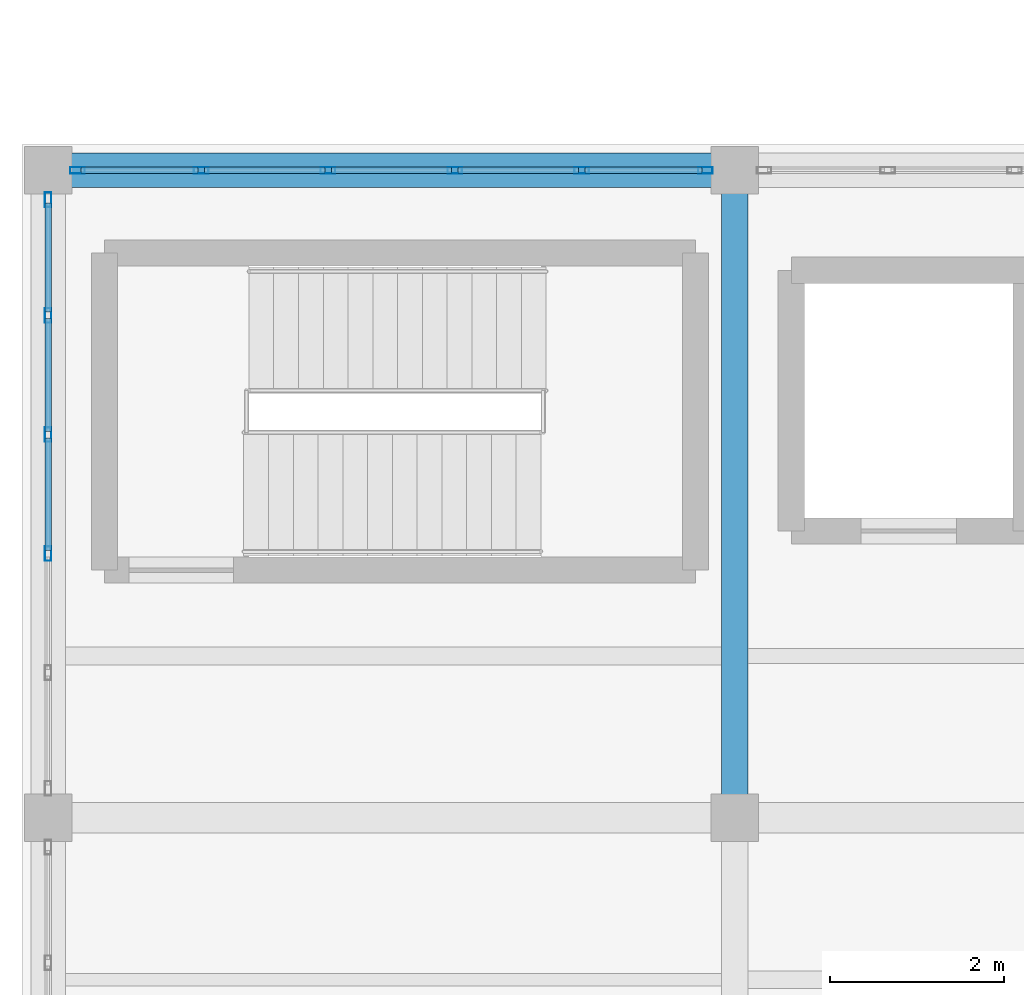
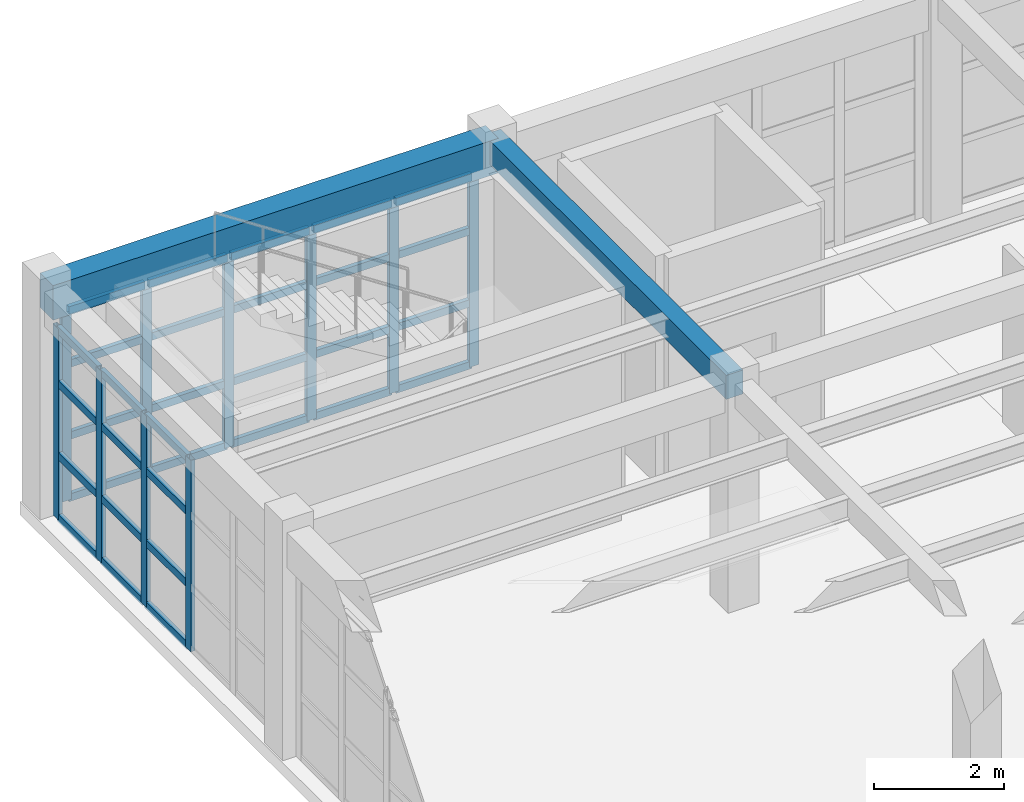
# One storey, part 10 of 85: 42 members, 2 beams, 2 elements without a shape of their own.
"""IFC4 building model written with IfcOpenShell, lengths in metres."""

import ifcopenshell
import ifcopenshell.guid

model = None  # the IFC model being written
_history = None  # IfcOwnerHistory: only IFC2X3 demands one
_inside = {}  # id of a spatial element -> (the spatial element, [elements in it])
_under = {}  # id of a project, library or spatial element -> (it, [spatial elements below it])
_declared = {}  # id of a project -> (the project, [libraries it declares])
_typed = {}  # id of a type object -> (the type object, [elements of that type])
_made_of = {}  # id of a material, layer set ... -> (it, [elements and type objects made of it])


def new_model(schema):
    """Start an empty IFC model of exactly this schema.

    Asked for "IFC4X3", IfcOpenShell would pick the latest addendum, in which some entities
    have other attributes; the version numbers below select the first issue.
    IFC2X3 requires an IfcOwnerHistory on every rooted entity: one is made here for all.
    """
    global model, _history
    if schema == "IFC4X3":
        model = ifcopenshell.file(schema_version=(4, 3, 0, 0))
    else:
        model = ifcopenshell.file(schema=schema)
    _inside.clear()
    _under.clear()
    _declared.clear()
    _typed.clear()
    _made_of.clear()
    _history = None
    if model.schema == "IFC2X3":
        org = make("IfcOrganization", Name="unknown")
        user = make(
            "IfcPersonAndOrganization",
            ThePerson=make("IfcPerson", FamilyName="unknown"),
            TheOrganization=org,
        )
        app = make(
            "IfcApplication",
            ApplicationDeveloper=org,
            Version="unknown",
            ApplicationFullName="unknown",
            ApplicationIdentifier="unknown",
        )
        _history = make(
            "IfcOwnerHistory",
            OwningUser=user,
            OwningApplication=app,
            ChangeAction="ADDED",
            CreationDate=0,
        )
    return model


def make(cls, **values):
    """One entity of the class cls with the attributes given. An attribute that is None is left unset."""
    return model.create_entity(
        cls, **{name: value for name, value in values.items() if value is not None}
    )


def rooted(cls, **values):
    """An entity with a GlobalId (a new one), such as an element, a storey or a relation."""
    return make(cls, GlobalId=ifcopenshell.guid.new(), OwnerHistory=_history, **values)


def si_unit(unit_type, name, prefix=None):
    """IfcSIUnit, for example si_unit("LENGTHUNIT", "METRE", prefix="MILLI")."""
    return make("IfcSIUnit", UnitType=unit_type, Prefix=prefix, Name=name)


def assignment(units):
    """IfcUnitAssignment: the units of a project."""
    return None if units is None else make("IfcUnitAssignment", Units=units)


def point(xyz):
    """IfcCartesianPoint."""
    return None if xyz is None else make("IfcCartesianPoint", Coordinates=xyz)


def direction(xyz):
    """IfcDirection."""
    return None if xyz is None else make("IfcDirection", DirectionRatios=xyz)


def frame(location, z_axis=None, x_axis=None):
    """IfcAxis2Placement3D, a coordinate frame: its origin and axes. An axis left out is left unset."""
    return make(
        "IfcAxis2Placement3D",
        Location=point(location),
        Axis=direction(z_axis),
        RefDirection=direction(x_axis),
    )


def frame_2d(location, x_axis=None):
    """IfcAxis2Placement2D, a coordinate frame in the plane: its origin and x axis."""
    return make(
        "IfcAxis2Placement2D", Location=point(location), RefDirection=direction(x_axis)
    )


def origin():
    """The frame at (0, 0, 0) with its axes left unset."""
    return frame((0.0, 0.0, 0.0))


def origin_2d():
    """The frame at (0, 0) in the plane with its x axis left unset."""
    return frame_2d((0.0, 0.0))


def place(relative_to, where):
    """IfcLocalPlacement: puts the frame where relative to a parent placement (None: the world)."""
    return make(
        "IfcLocalPlacement", PlacementRelTo=relative_to, RelativePlacement=where
    )


def context(
    kind, dimensions, precision=None, world=None, true_north=None, identifier=None
):
    """IfcGeometricRepresentationContext, for example the 3D "Model" context."""
    return make(
        "IfcGeometricRepresentationContext",
        ContextIdentifier=identifier,
        ContextType=kind,
        CoordinateSpaceDimension=dimensions,
        Precision=precision,
        WorldCoordinateSystem=world,
        TrueNorth=true_north,
    )


def subcontext(parent, identifier, kind, view, scale=None):
    """IfcGeometricRepresentationSubContext, for example "Body" below "Model"."""
    return make(
        "IfcGeometricRepresentationSubContext",
        ContextIdentifier=identifier,
        ContextType=kind,
        ParentContext=parent,
        TargetScale=scale,
        TargetView=view,
    )


def project(units=None, contexts=None):
    """IfcProject with its units and contexts."""
    return rooted(
        "IfcProject",
        Name="project",
        RepresentationContexts=contexts,
        UnitsInContext=assignment(units),
    )


def spatial(cls, under=None, at=None, **own):
    """A site, building, storey or space (cls), placed at a placement, below another one or the project."""
    s = rooted(cls, ObjectPlacement=at, **own)
    if under is not None:
        _under.setdefault(under.id(), (under, []))[1].append(s)
    return s


def profile(cls, at=None, kind="AREA", **sizes):
    """A parametric profile (cls). Its sizes go by their IFC names, for example OverallWidth=200.0."""
    return make(cls, ProfileType=kind, Position=at, **sizes)


def rectangle(**sizes):
    """IfcRectangleProfileDef."""
    return profile("IfcRectangleProfileDef", **sizes)


def hollow_rectangle(**sizes):
    """IfcRectangleHollowProfileDef."""
    return profile("IfcRectangleHollowProfileDef", **sizes)


def extrude(swept, where, along, depth):
    """IfcExtrudedAreaSolid: the profile swept, set in the frame where, extruded along a direction by depth."""
    return make(
        "IfcExtrudedAreaSolid",
        SweptArea=swept,
        Position=where,
        ExtrudedDirection=direction(along),
        Depth=depth,
    )


def shape(context_of_items, identifier, shape_type, items):
    """IfcShapeRepresentation: the items that make up one representation, for example the "Body"."""
    return make(
        "IfcShapeRepresentation",
        ContextOfItems=context_of_items,
        RepresentationIdentifier=identifier,
        RepresentationType=shape_type,
        Items=items,
    )


def material(Name=None, Category=None):
    """IfcMaterial."""
    return make("IfcMaterial", Name=Name, Category=Category)


def layer(
    of_material, thickness, ventilated=None, Name=None, Category=None, Priority=None
):
    """IfcMaterialLayer: one layer of a wall or slab, of a material (None: an air gap)."""
    return make(
        "IfcMaterialLayer",
        Material=of_material,
        LayerThickness=thickness,
        IsVentilated=ventilated,
        Name=Name,
        Category=Category,
        Priority=Priority,
    )


def layer_set(layers, Name=None):
    """IfcMaterialLayerSet."""
    return make("IfcMaterialLayerSet", MaterialLayers=layers, LayerSetName=Name)


def material_profile(
    of_material, cross_section, Name=None, Category=None, Priority=None
):
    """IfcMaterialProfile: a cross section and its material."""
    return make(
        "IfcMaterialProfile",
        Name=Name,
        Material=of_material,
        Profile=cross_section,
        Priority=Priority,
        Category=Category,
    )


def profile_set(profiles, Name=None, composite=None):
    """IfcMaterialProfileSet."""
    return make(
        "IfcMaterialProfileSet",
        Name=Name,
        MaterialProfiles=profiles,
        CompositeProfile=composite,
    )


def made_of(thing, what):
    """Note that an element or type object is made of a material, layer set ...; save() writes the relation."""
    if what is not None:
        _made_of.setdefault(what.id(), (what, []))[1].append(thing)
    return thing


def type_object(cls, material=None, **own):
    """A type object (cls), such as IfcWallType, which elements share."""
    return made_of(rooted(cls, **own), material)


def element(
    cls,
    number,
    at=None,
    inside=None,
    cuts=None,
    type_object=None,
    material=None,
    context=None,
    identifier="Body",
    shape_type=None,
    held_by="IfcProductDefinitionShape",
    body=None,
    shapes=None,
    **own,
):
    """One element of the class cls, such as IfcWall. Its Tag is "e" and its number.

    at: its placement. inside: the storey or other place that contains it. cuts: it is an
    opening in that element (IfcRelVoidsElement). A single representation is given by context,
    identifier, shape_type and body (its items); several are given by shapes. held_by: the class
    of the entity that holds the representations. save() writes the other relations.
    """
    e = rooted(cls, Tag="e%d" % number, ObjectPlacement=at, **own)
    if body is not None:
        shapes = [shape(context, identifier, shape_type, body)]
    if shapes is not None:
        e.Representation = make(held_by, Representations=shapes)
    if inside is not None:
        _inside.setdefault(inside.id(), (inside, []))[1].append(e)
    if cuts is not None:
        rooted(
            "IfcRelVoidsElement", RelatingBuildingElement=cuts, RelatedOpeningElement=e
        )
    if type_object is not None:
        _typed.setdefault(type_object.id(), (type_object, []))[1].append(e)
    return made_of(e, material)


def aggregate(whole, parts):
    """IfcRelAggregates: a whole, such as a stair, and the parts it consists of."""
    return rooted("IfcRelAggregates", RelatingObject=whole, RelatedObjects=parts)


def save(model, path):
    """Write the relations noted so far, then the file.

    IfcRelAggregates (storeys below a building ...), IfcRelContainedInSpatialStructure (elements
    in a storey), IfcRelDefinesByType, IfcRelAssociatesMaterial and IfcRelDeclares: one each for
    every whole, place, type object, material and project.
    """
    for whole, parts in _under.values():
        aggregate(whole, parts)
    for where, things in _inside.values():
        rooted(
            "IfcRelContainedInSpatialStructure",
            RelatedElements=things,
            RelatingStructure=where,
        )
    for kind, things in _typed.values():
        rooted("IfcRelDefinesByType", RelatedObjects=things, RelatingType=kind)
    for what, things in _made_of.values():
        rooted("IfcRelAssociatesMaterial", RelatedObjects=things, RelatingMaterial=what)
    for by, libraries in _declared.values():
        rooted("IfcRelDeclares", RelatingContext=by, RelatedDefinitions=libraries)
    model.write(path)


model = new_model("IFC4")

# Units and contexts
model_context = context("Model", 3, precision=1e-05, world=origin(), true_north=direction((0.0, 1.0)))
body_context = subcontext(model_context, "Body", "Model", "MODEL_VIEW")
ifc_project = project(units=[si_unit("LENGTHUNIT", "METRE"), si_unit("AREAUNIT", "SQUARE_METRE"), si_unit("VOLUMEUNIT", "CUBIC_METRE"), si_unit("PLANEANGLEUNIT", "RADIAN"), si_unit("MASSUNIT", "GRAM", prefix="KILO")], contexts=[model_context])

# Site, building, storey
site_placement = place(None, origin())
site = spatial("IfcSite", under=ifc_project, at=site_placement, CompositionType="ELEMENT")
building_placement = place(site_placement, origin())
building = spatial("IfcBuilding", under=site, at=building_placement, Name="Candilejo Ridge Gondola Terminal", CompositionType="ELEMENT")
storey_placement = place(building_placement, frame((0.0, 0.0, 4.5)))
storey = spatial("IfcBuildingStorey", under=building, at=storey_placement, Name="L01", CompositionType="ELEMENT", Elevation=4.5)

# Curtain wall, members
ifc_material_1 = material(Name="Anodised aluminium AA 6063-T6", Category="aluminium")
ifc_layer_1 = layer(ifc_material_1, 0.169921875)
ifc_layer_set_1 = layer_set([ifc_layer_1], Name="ARC-CW-CONCOURSE-3600-730X359")
curtain_wall_type_1 = type_object("IfcCurtainWallType", Name="ARC-CW-CONCOURSE-3600-730X359", PredefinedType="NOTDEFINED", material=ifc_layer_set_1)
curtain_wall_1_placement = place(storey_placement, origin())
curtain_wall_1 = element("IfcCurtainWall", 1, at=curtain_wall_1_placement, inside=storey, type_object=curtain_wall_type_1, Name="Curtain wall V1 L01-002", PredefinedType="NOTDEFINED")
ifc_material_2 = material(Name="Anodised aluminium AA 6063-T6", Category="aluminium")
ifc_material_profile_1 = material_profile(ifc_material_2, hollow_rectangle(XDim=0.074951171875, YDim=0.169921875, WallThickness=0.00390625, at=origin_2d()))
ifc_profile_set_1 = profile_set([ifc_material_profile_1], Name="Anodised aluminium AA 6063-T6")
member_type_1 = type_object("IfcMemberType", Name="ARC-CW-MULLION", PredefinedType="MULLION", material=ifc_profile_set_1)
member_1_placement = place(storey_placement, frame((4.637451171875, 25.699951171875, 0.0), z_axis=(0.0, 0.0, 1.0), x_axis=(0.0, 1.0, 0.0)))
member_1 = element("IfcMember", 2, at=member_1_placement, type_object=member_type_1, Name="CW-73X35 mullion 1", PredefinedType="MULLION", context=body_context, shape_type="SweptSolid", body=[
    extrude(hollow_rectangle(XDim=0.074951171875, YDim=0.169921875, WallThickness=0.00390625, at=origin_2d()), origin(), (0.0, 0.0, 1.0), 3.590087890625),
])
member_2_placement = place(storey_placement, frame((6.06005859375, 25.699951171875, 0.0), z_axis=(0.0, 0.0, 1.0), x_axis=(0.0, 1.0, 0.0)))
member_2 = element("IfcMember", 3, at=member_2_placement, type_object=member_type_1, Name="CW-73X35 mullion 2", PredefinedType="MULLION", context=body_context, shape_type="SweptSolid", body=[
    extrude(hollow_rectangle(XDim=0.074951171875, YDim=0.169921875, WallThickness=0.00390625, at=origin_2d()), origin(), (0.0, 0.0, 1.0), 3.590087890625),
])
member_3_placement = place(storey_placement, frame((7.52001953125, 25.699951171875, 0.0), z_axis=(0.0, 0.0, 1.0), x_axis=(0.0, 1.0, 0.0)))
member_3 = element("IfcMember", 4, at=member_3_placement, type_object=member_type_1, Name="CW-73X35 mullion 3", PredefinedType="MULLION", context=body_context, shape_type="SweptSolid", body=[
    extrude(hollow_rectangle(XDim=0.074951171875, YDim=0.169921875, WallThickness=0.00390625, at=origin_2d()), origin(), (0.0, 0.0, 1.0), 3.590087890625),
])
member_4_placement = place(storey_placement, frame((8.97998046875, 25.699951171875, 0.0), z_axis=(0.0, 0.0, 1.0), x_axis=(0.0, 1.0, 0.0)))
member_4 = element("IfcMember", 5, at=member_4_placement, type_object=member_type_1, Name="CW-73X35 mullion 4", PredefinedType="MULLION", context=body_context, shape_type="SweptSolid", body=[
    extrude(hollow_rectangle(XDim=0.074951171875, YDim=0.169921875, WallThickness=0.00390625, at=origin_2d()), origin(), (0.0, 0.0, 1.0), 3.590087890625),
])
member_5_placement = place(storey_placement, frame((10.43994140625, 25.699951171875, 0.0), z_axis=(0.0, 0.0, 1.0), x_axis=(0.0, 1.0, 0.0)))
member_5 = element("IfcMember", 6, at=member_5_placement, type_object=member_type_1, Name="CW-73X35 mullion 5", PredefinedType="MULLION", context=body_context, shape_type="SweptSolid", body=[
    extrude(hollow_rectangle(XDim=0.074951171875, YDim=0.169921875, WallThickness=0.00390625, at=origin_2d()), origin(), (0.0, 0.0, 1.0), 3.590087890625),
])
member_6_placement = place(storey_placement, frame((11.862548828125, 25.699951171875, 0.0), z_axis=(0.0, 0.0, 1.0), x_axis=(0.0, 1.0, 0.0)))
member_6 = element("IfcMember", 7, at=member_6_placement, type_object=member_type_1, Name="CW-73X35 mullion 6", PredefinedType="MULLION", context=body_context, shape_type="SweptSolid", body=[
    extrude(hollow_rectangle(XDim=0.074951171875, YDim=0.169921875, WallThickness=0.00390625, at=origin_2d()), origin(), (0.0, 0.0, 1.0), 3.590087890625),
])

ifc_material_3 = material(Name="Anodised aluminium AA 6063-T6", Category="aluminium")
ifc_layer_2 = layer(ifc_material_3, 0.169921875)
ifc_layer_set_2 = layer_set([ifc_layer_2], Name="ARC-CW-CONCOURSE-3600-685X359")
curtain_wall_type_2 = type_object("IfcCurtainWallType", Name="ARC-CW-CONCOURSE-3600-685X359", PredefinedType="NOTDEFINED", material=ifc_layer_set_2)
curtain_wall_2_placement = place(storey_placement, origin())
curtain_wall_2 = element("IfcCurtainWall", 8, at=curtain_wall_2_placement, inside=storey, type_object=curtain_wall_type_2, Name="Curtain wall V1 L01-021", PredefinedType="NOTDEFINED")
member_7_placement = place(storey_placement, frame((4.300048828125, 21.2900390625, 0.0), z_axis=(0.0, 0.0, 1.0), x_axis=(-1.0, 0.0, 0.0)))
member_7 = element("IfcMember", 9, at=member_7_placement, type_object=member_type_1, Name="CW-68X35 mullion 3", PredefinedType="MULLION", context=body_context, shape_type="SweptSolid", body=[
    extrude(hollow_rectangle(XDim=0.074951171875, YDim=0.169921875, WallThickness=0.00390625, at=origin_2d()), origin(), (0.0, 0.0, 1.0), 3.590087890625),
])
member_8_placement = place(storey_placement, frame((4.300048828125, 22.659912109375, 0.0), z_axis=(0.0, 0.0, 1.0), x_axis=(-1.0, 0.0, 0.0)))
member_8 = element("IfcMember", 10, at=member_8_placement, type_object=member_type_1, Name="CW-68X35 mullion 4", PredefinedType="MULLION", context=body_context, shape_type="SweptSolid", body=[
    extrude(hollow_rectangle(XDim=0.074951171875, YDim=0.169921875, WallThickness=0.00390625, at=origin_2d()), origin(), (0.0, 0.0, 1.0), 3.590087890625),
])
member_9_placement = place(storey_placement, frame((4.300048828125, 24.030029296875, 0.0), z_axis=(0.0, 0.0, 1.0), x_axis=(-1.0, 0.0, 0.0)))
member_9 = element("IfcMember", 11, at=member_9_placement, type_object=member_type_1, Name="CW-68X35 mullion 5", PredefinedType="MULLION", context=body_context, shape_type="SweptSolid", body=[
    extrude(hollow_rectangle(XDim=0.074951171875, YDim=0.169921875, WallThickness=0.00390625, at=origin_2d()), origin(), (0.0, 0.0, 1.0), 3.590087890625),
])
member_10_placement = place(storey_placement, frame((4.300048828125, 25.362548828125, 0.0), z_axis=(0.0, 0.0, 1.0), x_axis=(-1.0, 0.0, 0.0)))
member_10 = element("IfcMember", 12, at=member_10_placement, type_object=member_type_1, Name="CW-68X35 mullion 6", PredefinedType="MULLION", context=body_context, shape_type="SweptSolid", body=[
    extrude(hollow_rectangle(XDim=0.074951171875, YDim=0.169921875, WallThickness=0.00390625, at=origin_2d()), origin(), (0.0, 0.0, 1.0), 3.590087890625),
])

# Member
ifc_material_4 = material(Name="Anodised aluminium AA 6063-T6", Category="aluminium")
ifc_material_profile_2 = material_profile(ifc_material_4, hollow_rectangle(XDim=0.074951171875, YDim=0.139892578125, WallThickness=0.00390625, at=origin_2d()))
ifc_profile_set_2 = profile_set([ifc_material_profile_2], Name="Anodised aluminium AA 6063-T6")
member_type_2 = type_object("IfcMemberType", Name="ARC-CW-TRANSOM", PredefinedType="USERDEFINED", material=ifc_profile_set_2)
member_11_placement = place(storey_placement, frame((4.675048828125, 25.699951171875, 0.03759765625), z_axis=(1.0, 0.0, 0.0), x_axis=(0.0, 1.0, 0.0)))
member_11 = element("IfcMember", 13, at=member_11_placement, type_object=member_type_2, Name="CW-73X35 transom 1.1", ObjectType="TRANSOM", PredefinedType="USERDEFINED", context=body_context, shape_type="SweptSolid", body=[
    extrude(hollow_rectangle(XDim=0.074951171875, YDim=0.139892578125, WallThickness=0.00390625, at=origin_2d()), origin(), (0.0, 0.0, 1.0), 1.347412109375),
])

member_12_placement = place(storey_placement, frame((4.675048828125, 25.699951171875, 1.199951171875), z_axis=(1.0, 0.0, 0.0), x_axis=(0.0, 1.0, 0.0)))
member_12 = element("IfcMember", 14, at=member_12_placement, type_object=member_type_2, Name="CW-73X35 transom 1.2", ObjectType="TRANSOM", PredefinedType="USERDEFINED", context=body_context, shape_type="SweptSolid", body=[
    extrude(hollow_rectangle(XDim=0.074951171875, YDim=0.139892578125, WallThickness=0.00390625, at=origin_2d()), origin(), (0.0, 0.0, 1.0), 1.347412109375),
])

member_13_placement = place(storey_placement, frame((4.675048828125, 25.699951171875, 2.550048828125), z_axis=(1.0, 0.0, 0.0), x_axis=(0.0, 1.0, 0.0)))
member_13 = element("IfcMember", 15, at=member_13_placement, type_object=member_type_2, Name="CW-73X35 transom 1.3", ObjectType="TRANSOM", PredefinedType="USERDEFINED", context=body_context, shape_type="SweptSolid", body=[
    extrude(hollow_rectangle(XDim=0.074951171875, YDim=0.139892578125, WallThickness=0.00390625, at=origin_2d()), origin(), (0.0, 0.0, 1.0), 1.347412109375),
])

member_14_placement = place(storey_placement, frame((4.675048828125, 25.699951171875, 3.552490234375), z_axis=(1.0, 0.0, 0.0), x_axis=(0.0, 1.0, 0.0)))
member_14 = element("IfcMember", 16, at=member_14_placement, type_object=member_type_2, Name="CW-73X35 transom 1.4", ObjectType="TRANSOM", PredefinedType="USERDEFINED", context=body_context, shape_type="SweptSolid", body=[
    extrude(hollow_rectangle(XDim=0.074951171875, YDim=0.139892578125, WallThickness=0.00390625, at=origin_2d()), origin(), (0.0, 0.0, 1.0), 1.347412109375),
])

member_15_placement = place(storey_placement, frame((6.097412109375, 25.699951171875, 0.03759765625), z_axis=(1.0, 0.0, 0.0), x_axis=(0.0, 1.0, 0.0)))
member_15 = element("IfcMember", 17, at=member_15_placement, type_object=member_type_2, Name="CW-73X35 transom 2.1", ObjectType="TRANSOM", PredefinedType="USERDEFINED", context=body_context, shape_type="SweptSolid", body=[
    extrude(hollow_rectangle(XDim=0.074951171875, YDim=0.139892578125, WallThickness=0.00390625, at=origin_2d()), origin(), (0.0, 0.0, 1.0), 1.385009765625),
])

member_16_placement = place(storey_placement, frame((6.097412109375, 25.699951171875, 1.199951171875), z_axis=(1.0, 0.0, 0.0), x_axis=(0.0, 1.0, 0.0)))
member_16 = element("IfcMember", 18, at=member_16_placement, type_object=member_type_2, Name="CW-73X35 transom 2.2", ObjectType="TRANSOM", PredefinedType="USERDEFINED", context=body_context, shape_type="SweptSolid", body=[
    extrude(hollow_rectangle(XDim=0.074951171875, YDim=0.139892578125, WallThickness=0.00390625, at=origin_2d()), origin(), (0.0, 0.0, 1.0), 1.385009765625),
])

member_17_placement = place(storey_placement, frame((6.097412109375, 25.699951171875, 2.550048828125), z_axis=(1.0, 0.0, 0.0), x_axis=(0.0, 1.0, 0.0)))
member_17 = element("IfcMember", 19, at=member_17_placement, type_object=member_type_2, Name="CW-73X35 transom 2.3", ObjectType="TRANSOM", PredefinedType="USERDEFINED", context=body_context, shape_type="SweptSolid", body=[
    extrude(hollow_rectangle(XDim=0.074951171875, YDim=0.139892578125, WallThickness=0.00390625, at=origin_2d()), origin(), (0.0, 0.0, 1.0), 1.385009765625),
])

member_18_placement = place(storey_placement, frame((6.097412109375, 25.699951171875, 3.552490234375), z_axis=(1.0, 0.0, 0.0), x_axis=(0.0, 1.0, 0.0)))
member_18 = element("IfcMember", 20, at=member_18_placement, type_object=member_type_2, Name="CW-73X35 transom 2.4", ObjectType="TRANSOM", PredefinedType="USERDEFINED", context=body_context, shape_type="SweptSolid", body=[
    extrude(hollow_rectangle(XDim=0.074951171875, YDim=0.139892578125, WallThickness=0.00390625, at=origin_2d()), origin(), (0.0, 0.0, 1.0), 1.385009765625),
])

member_19_placement = place(storey_placement, frame((7.5576171875, 25.699951171875, 0.03759765625), z_axis=(1.0, 0.0, 0.0), x_axis=(0.0, 1.0, 0.0)))
member_19 = element("IfcMember", 21, at=member_19_placement, type_object=member_type_2, Name="CW-73X35 transom 3.1", ObjectType="TRANSOM", PredefinedType="USERDEFINED", context=body_context, shape_type="SweptSolid", body=[
    extrude(hollow_rectangle(XDim=0.074951171875, YDim=0.139892578125, WallThickness=0.00390625, at=origin_2d()), origin(), (0.0, 0.0, 1.0), 1.384765625),
])

member_20_placement = place(storey_placement, frame((7.5576171875, 25.699951171875, 1.199951171875), z_axis=(1.0, 0.0, 0.0), x_axis=(0.0, 1.0, 0.0)))
member_20 = element("IfcMember", 22, at=member_20_placement, type_object=member_type_2, Name="CW-73X35 transom 3.2", ObjectType="TRANSOM", PredefinedType="USERDEFINED", context=body_context, shape_type="SweptSolid", body=[
    extrude(hollow_rectangle(XDim=0.074951171875, YDim=0.139892578125, WallThickness=0.00390625, at=origin_2d()), origin(), (0.0, 0.0, 1.0), 1.384765625),
])

member_21_placement = place(storey_placement, frame((7.5576171875, 25.699951171875, 2.550048828125), z_axis=(1.0, 0.0, 0.0), x_axis=(0.0, 1.0, 0.0)))
member_21 = element("IfcMember", 23, at=member_21_placement, type_object=member_type_2, Name="CW-73X35 transom 3.3", ObjectType="TRANSOM", PredefinedType="USERDEFINED", context=body_context, shape_type="SweptSolid", body=[
    extrude(hollow_rectangle(XDim=0.074951171875, YDim=0.139892578125, WallThickness=0.00390625, at=origin_2d()), origin(), (0.0, 0.0, 1.0), 1.384765625),
])

member_22_placement = place(storey_placement, frame((7.5576171875, 25.699951171875, 3.552490234375), z_axis=(1.0, 0.0, 0.0), x_axis=(0.0, 1.0, 0.0)))
member_22 = element("IfcMember", 24, at=member_22_placement, type_object=member_type_2, Name="CW-73X35 transom 3.4", ObjectType="TRANSOM", PredefinedType="USERDEFINED", context=body_context, shape_type="SweptSolid", body=[
    extrude(hollow_rectangle(XDim=0.074951171875, YDim=0.139892578125, WallThickness=0.00390625, at=origin_2d()), origin(), (0.0, 0.0, 1.0), 1.384765625),
])

member_23_placement = place(storey_placement, frame((9.017578125, 25.699951171875, 0.03759765625), z_axis=(1.0, 0.0, 0.0), x_axis=(0.0, 1.0, 0.0)))
member_23 = element("IfcMember", 25, at=member_23_placement, type_object=member_type_2, Name="CW-73X35 transom 4.1", ObjectType="TRANSOM", PredefinedType="USERDEFINED", context=body_context, shape_type="SweptSolid", body=[
    extrude(hollow_rectangle(XDim=0.074951171875, YDim=0.139892578125, WallThickness=0.00390625, at=origin_2d()), origin(), (0.0, 0.0, 1.0), 1.385009765625),
])

member_24_placement = place(storey_placement, frame((9.017578125, 25.699951171875, 1.199951171875), z_axis=(1.0, 0.0, 0.0), x_axis=(0.0, 1.0, 0.0)))
member_24 = element("IfcMember", 26, at=member_24_placement, type_object=member_type_2, Name="CW-73X35 transom 4.2", ObjectType="TRANSOM", PredefinedType="USERDEFINED", context=body_context, shape_type="SweptSolid", body=[
    extrude(hollow_rectangle(XDim=0.074951171875, YDim=0.139892578125, WallThickness=0.00390625, at=origin_2d()), origin(), (0.0, 0.0, 1.0), 1.385009765625),
])

member_25_placement = place(storey_placement, frame((9.017578125, 25.699951171875, 2.550048828125), z_axis=(1.0, 0.0, 0.0), x_axis=(0.0, 1.0, 0.0)))
member_25 = element("IfcMember", 27, at=member_25_placement, type_object=member_type_2, Name="CW-73X35 transom 4.3", ObjectType="TRANSOM", PredefinedType="USERDEFINED", context=body_context, shape_type="SweptSolid", body=[
    extrude(hollow_rectangle(XDim=0.074951171875, YDim=0.139892578125, WallThickness=0.00390625, at=origin_2d()), origin(), (0.0, 0.0, 1.0), 1.385009765625),
])

member_26_placement = place(storey_placement, frame((9.017578125, 25.699951171875, 3.552490234375), z_axis=(1.0, 0.0, 0.0), x_axis=(0.0, 1.0, 0.0)))
member_26 = element("IfcMember", 28, at=member_26_placement, type_object=member_type_2, Name="CW-73X35 transom 4.4", ObjectType="TRANSOM", PredefinedType="USERDEFINED", context=body_context, shape_type="SweptSolid", body=[
    extrude(hollow_rectangle(XDim=0.074951171875, YDim=0.139892578125, WallThickness=0.00390625, at=origin_2d()), origin(), (0.0, 0.0, 1.0), 1.385009765625),
])

member_27_placement = place(storey_placement, frame((10.4775390625, 25.699951171875, 0.03759765625), z_axis=(1.0, 0.0, 0.0), x_axis=(0.0, 1.0, 0.0)))
member_27 = element("IfcMember", 29, at=member_27_placement, type_object=member_type_2, Name="CW-73X35 transom 5.1", ObjectType="TRANSOM", PredefinedType="USERDEFINED", context=body_context, shape_type="SweptSolid", body=[
    extrude(hollow_rectangle(XDim=0.074951171875, YDim=0.139892578125, WallThickness=0.00390625, at=origin_2d()), origin(), (0.0, 0.0, 1.0), 1.347412109375),
])

member_28_placement = place(storey_placement, frame((10.4775390625, 25.699951171875, 1.199951171875), z_axis=(1.0, 0.0, 0.0), x_axis=(0.0, 1.0, 0.0)))
member_28 = element("IfcMember", 30, at=member_28_placement, type_object=member_type_2, Name="CW-73X35 transom 5.2", ObjectType="TRANSOM", PredefinedType="USERDEFINED", context=body_context, shape_type="SweptSolid", body=[
    extrude(hollow_rectangle(XDim=0.074951171875, YDim=0.139892578125, WallThickness=0.00390625, at=origin_2d()), origin(), (0.0, 0.0, 1.0), 1.347412109375),
])

member_29_placement = place(storey_placement, frame((10.4775390625, 25.699951171875, 2.550048828125), z_axis=(1.0, 0.0, 0.0), x_axis=(0.0, 1.0, 0.0)))
member_29 = element("IfcMember", 31, at=member_29_placement, type_object=member_type_2, Name="CW-73X35 transom 5.3", ObjectType="TRANSOM", PredefinedType="USERDEFINED", context=body_context, shape_type="SweptSolid", body=[
    extrude(hollow_rectangle(XDim=0.074951171875, YDim=0.139892578125, WallThickness=0.00390625, at=origin_2d()), origin(), (0.0, 0.0, 1.0), 1.347412109375),
])

member_30_placement = place(storey_placement, frame((10.4775390625, 25.699951171875, 3.552490234375), z_axis=(1.0, 0.0, 0.0), x_axis=(0.0, 1.0, 0.0)))
member_30 = element("IfcMember", 32, at=member_30_placement, type_object=member_type_2, Name="CW-73X35 transom 5.4", ObjectType="TRANSOM", PredefinedType="USERDEFINED", context=body_context, shape_type="SweptSolid", body=[
    extrude(hollow_rectangle(XDim=0.074951171875, YDim=0.139892578125, WallThickness=0.00390625, at=origin_2d()), origin(), (0.0, 0.0, 1.0), 1.347412109375),
])

aggregate(curtain_wall_1, [member_1, member_2, member_3, member_4, member_5, member_6, member_11, member_12, member_13, member_14, member_15, member_16, member_17, member_18, member_19, member_20, member_21, member_22, member_23, member_24, member_25, member_26, member_27, member_28, member_29, member_30])

member_31_placement = place(storey_placement, frame((4.300048828125, 21.327392578125, 0.03759765625), z_axis=(0.0, 1.0, 0.0), x_axis=(-1.0, 0.0, 0.0)))
member_31 = element("IfcMember", 33, at=member_31_placement, type_object=member_type_2, Name="CW-68X35 transom 3.1", ObjectType="TRANSOM", PredefinedType="USERDEFINED", context=body_context, shape_type="SweptSolid", body=[
    extrude(hollow_rectangle(XDim=0.074951171875, YDim=0.139892578125, WallThickness=0.00390625, at=origin_2d()), origin(), (0.0, 0.0, 1.0), 1.295166015625),
])

member_32_placement = place(storey_placement, frame((4.300048828125, 21.327392578125, 1.199951171875), z_axis=(0.0, 1.0, 0.0), x_axis=(-1.0, 0.0, 0.0)))
member_32 = element("IfcMember", 34, at=member_32_placement, type_object=member_type_2, Name="CW-68X35 transom 3.2", ObjectType="TRANSOM", PredefinedType="USERDEFINED", context=body_context, shape_type="SweptSolid", body=[
    extrude(hollow_rectangle(XDim=0.074951171875, YDim=0.139892578125, WallThickness=0.00390625, at=origin_2d()), origin(), (0.0, 0.0, 1.0), 1.295166015625),
])

member_33_placement = place(storey_placement, frame((4.300048828125, 21.327392578125, 2.550048828125), z_axis=(0.0, 1.0, 0.0), x_axis=(-1.0, 0.0, 0.0)))
member_33 = element("IfcMember", 35, at=member_33_placement, type_object=member_type_2, Name="CW-68X35 transom 3.3", ObjectType="TRANSOM", PredefinedType="USERDEFINED", context=body_context, shape_type="SweptSolid", body=[
    extrude(hollow_rectangle(XDim=0.074951171875, YDim=0.139892578125, WallThickness=0.00390625, at=origin_2d()), origin(), (0.0, 0.0, 1.0), 1.295166015625),
])

member_34_placement = place(storey_placement, frame((4.300048828125, 21.327392578125, 3.552490234375), z_axis=(0.0, 1.0, 0.0), x_axis=(-1.0, 0.0, 0.0)))
member_34 = element("IfcMember", 36, at=member_34_placement, type_object=member_type_2, Name="CW-68X35 transom 3.4", ObjectType="TRANSOM", PredefinedType="USERDEFINED", context=body_context, shape_type="SweptSolid", body=[
    extrude(hollow_rectangle(XDim=0.074951171875, YDim=0.139892578125, WallThickness=0.00390625, at=origin_2d()), origin(), (0.0, 0.0, 1.0), 1.295166015625),
])

member_35_placement = place(storey_placement, frame((4.300048828125, 22.697509765625, 0.03759765625), z_axis=(0.0, 1.0, 0.0), x_axis=(-1.0, 0.0, 0.0)))
member_35 = element("IfcMember", 37, at=member_35_placement, type_object=member_type_2, Name="CW-68X35 transom 4.1", ObjectType="TRANSOM", PredefinedType="USERDEFINED", context=body_context, shape_type="SweptSolid", body=[
    extrude(hollow_rectangle(XDim=0.074951171875, YDim=0.139892578125, WallThickness=0.00390625, at=origin_2d()), origin(), (0.0, 0.0, 1.0), 1.294921875),
])

member_36_placement = place(storey_placement, frame((4.300048828125, 22.697509765625, 1.199951171875), z_axis=(0.0, 1.0, 0.0), x_axis=(-1.0, 0.0, 0.0)))
member_36 = element("IfcMember", 38, at=member_36_placement, type_object=member_type_2, Name="CW-68X35 transom 4.2", ObjectType="TRANSOM", PredefinedType="USERDEFINED", context=body_context, shape_type="SweptSolid", body=[
    extrude(hollow_rectangle(XDim=0.074951171875, YDim=0.139892578125, WallThickness=0.00390625, at=origin_2d()), origin(), (0.0, 0.0, 1.0), 1.294921875),
])

member_37_placement = place(storey_placement, frame((4.300048828125, 22.697509765625, 2.550048828125), z_axis=(0.0, 1.0, 0.0), x_axis=(-1.0, 0.0, 0.0)))
member_37 = element("IfcMember", 39, at=member_37_placement, type_object=member_type_2, Name="CW-68X35 transom 4.3", ObjectType="TRANSOM", PredefinedType="USERDEFINED", context=body_context, shape_type="SweptSolid", body=[
    extrude(hollow_rectangle(XDim=0.074951171875, YDim=0.139892578125, WallThickness=0.00390625, at=origin_2d()), origin(), (0.0, 0.0, 1.0), 1.294921875),
])

member_38_placement = place(storey_placement, frame((4.300048828125, 22.697509765625, 3.552490234375), z_axis=(0.0, 1.0, 0.0), x_axis=(-1.0, 0.0, 0.0)))
member_38 = element("IfcMember", 40, at=member_38_placement, type_object=member_type_2, Name="CW-68X35 transom 4.4", ObjectType="TRANSOM", PredefinedType="USERDEFINED", context=body_context, shape_type="SweptSolid", body=[
    extrude(hollow_rectangle(XDim=0.074951171875, YDim=0.139892578125, WallThickness=0.00390625, at=origin_2d()), origin(), (0.0, 0.0, 1.0), 1.294921875),
])

member_39_placement = place(storey_placement, frame((4.300048828125, 24.0673828125, 0.03759765625), z_axis=(0.0, 1.0, 0.0), x_axis=(-1.0, 0.0, 0.0)))
member_39 = element("IfcMember", 41, at=member_39_placement, type_object=member_type_2, Name="CW-68X35 transom 5.1", ObjectType="TRANSOM", PredefinedType="USERDEFINED", context=body_context, shape_type="SweptSolid", body=[
    extrude(hollow_rectangle(XDim=0.074951171875, YDim=0.139892578125, WallThickness=0.00390625, at=origin_2d()), origin(), (0.0, 0.0, 1.0), 1.257568359375),
])

member_40_placement = place(storey_placement, frame((4.300048828125, 24.0673828125, 1.199951171875), z_axis=(0.0, 1.0, 0.0), x_axis=(-1.0, 0.0, 0.0)))
member_40 = element("IfcMember", 42, at=member_40_placement, type_object=member_type_2, Name="CW-68X35 transom 5.2", ObjectType="TRANSOM", PredefinedType="USERDEFINED", context=body_context, shape_type="SweptSolid", body=[
    extrude(hollow_rectangle(XDim=0.074951171875, YDim=0.139892578125, WallThickness=0.00390625, at=origin_2d()), origin(), (0.0, 0.0, 1.0), 1.257568359375),
])

member_41_placement = place(storey_placement, frame((4.300048828125, 24.0673828125, 2.550048828125), z_axis=(0.0, 1.0, 0.0), x_axis=(-1.0, 0.0, 0.0)))
member_41 = element("IfcMember", 43, at=member_41_placement, type_object=member_type_2, Name="CW-68X35 transom 5.3", ObjectType="TRANSOM", PredefinedType="USERDEFINED", context=body_context, shape_type="SweptSolid", body=[
    extrude(hollow_rectangle(XDim=0.074951171875, YDim=0.139892578125, WallThickness=0.00390625, at=origin_2d()), origin(), (0.0, 0.0, 1.0), 1.257568359375),
])

member_42_placement = place(storey_placement, frame((4.300048828125, 24.0673828125, 3.552490234375), z_axis=(0.0, 1.0, 0.0), x_axis=(-1.0, 0.0, 0.0)))
member_42 = element("IfcMember", 44, at=member_42_placement, type_object=member_type_2, Name="CW-68X35 transom 5.4", ObjectType="TRANSOM", PredefinedType="USERDEFINED", context=body_context, shape_type="SweptSolid", body=[
    extrude(hollow_rectangle(XDim=0.074951171875, YDim=0.139892578125, WallThickness=0.00390625, at=origin_2d()), origin(), (0.0, 0.0, 1.0), 1.257568359375),
])

aggregate(curtain_wall_2, [member_7, member_8, member_9, member_10, member_31, member_32, member_33, member_34, member_35, member_36, member_37, member_38, member_39, member_40, member_41, member_42])

# Beams
ifc_material_5 = material(Name="Concrete f'c 35 MPa (C35/45)", Category="concrete")
ifc_material_profile_3 = material_profile(ifc_material_5, rectangle(XDim=0.300048828125, YDim=0.449951171875, at=origin_2d()))
ifc_profile_set_3 = profile_set([ifc_material_profile_3], Name="Concrete f'c 35 MPa (C35/45)")
beam_type_1 = type_object("IfcBeamType", Name="STR-BM-RC300X450", PredefinedType="BEAM", material=ifc_profile_set_3)
beam_1_placement = place(storey_placement, frame((12.199951171875, 18.25, 4.02490234375), z_axis=(0.0, 1.0, 0.0), x_axis=(-1.0, 0.0, 0.0)))
element("IfcBeam", 45, at=beam_1_placement, inside=storey, type_object=beam_type_1, Name="Beam Y V1 L01 Y03-Y05@X02", PredefinedType="BEAM", context=body_context, shape_type="SweptSolid", body=[
    extrude(rectangle(XDim=0.300048828125, YDim=0.449951171875, at=origin_2d()), origin(), (0.0, 0.0, 1.0), 7.449951171875),
])
ifc_material_6 = material(Name="Concrete f'c 35 MPa (C35/45)", Category="concrete")
ifc_material_profile_4 = material_profile(ifc_material_6, rectangle(XDim=0.39990234375, YDim=0.64990234375, at=origin_2d()))
ifc_profile_set_4 = profile_set([ifc_material_profile_4], Name="Concrete f'c 35 MPa (C35/45)")
beam_type_2 = type_object("IfcBeamType", Name="STR-SPN-RC400X650", PredefinedType="SPANDREL", material=ifc_profile_set_4)
beam_2_placement = place(storey_placement, frame((4.300048828125, 25.699951171875, 3.925048828125), z_axis=(1.0, 0.0, 0.0), x_axis=(0.0, 1.0, 0.0)))
element("IfcBeam", 46, at=beam_2_placement, inside=storey, type_object=beam_type_2, Name="Beam X V1 L01 X01-X02@Y05", PredefinedType="SPANDREL", context=body_context, shape_type="SweptSolid", body=[
    extrude(rectangle(XDim=0.39990234375, YDim=0.64990234375, at=origin_2d()), origin(), (0.0, 0.0, 1.0), 7.89990234375),
])

save(model, "model.ifc")
